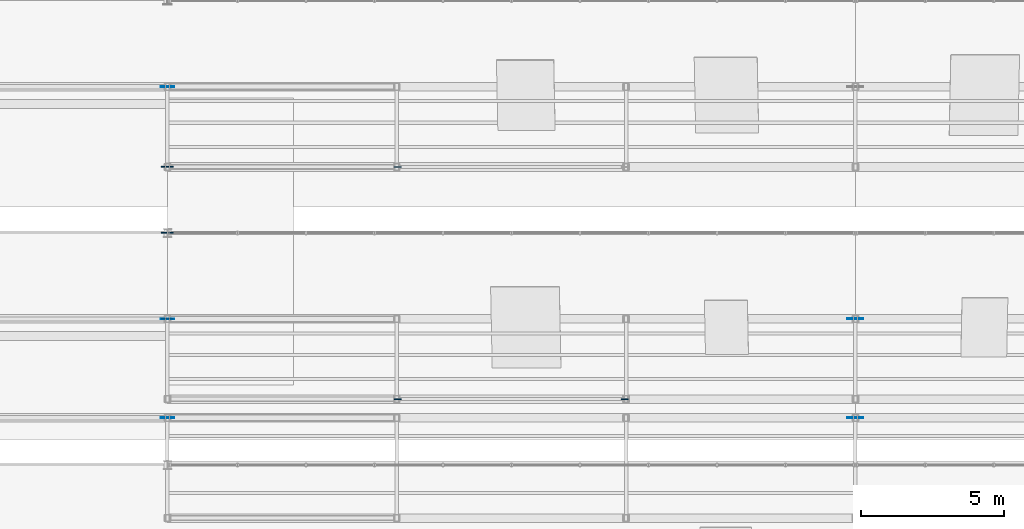
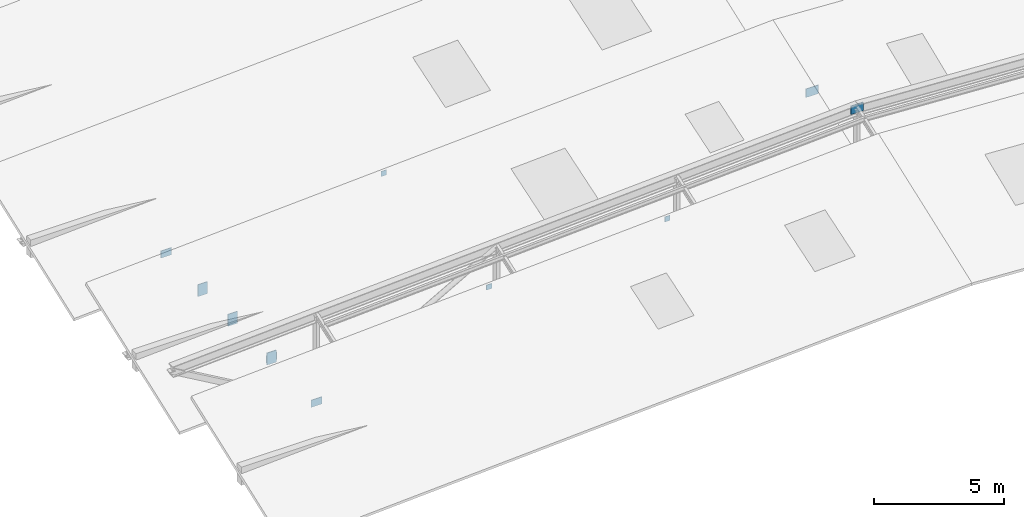
# One storey, part 132 of 141: 11 plates.
"""IFC4 building model written with IfcOpenShell, lengths in metres."""

from ifc_helpers import new_model, si_unit, direction, frame, origin, origin_2d, place, context, subcontext, project, spatial, rectangle, extrude, material, layer, layer_set, type_object, element, save


model = new_model("IFC4")

# Units and contexts
model_context = context("Model", 3, precision=1e-05, world=origin(), true_north=direction((0.0, 1.0)))
body_context = subcontext(model_context, "Body", "Model", "MODEL_VIEW")
ifc_project = project(units=[si_unit("LENGTHUNIT", "METRE"), si_unit("AREAUNIT", "SQUARE_METRE"), si_unit("VOLUMEUNIT", "CUBIC_METRE"), si_unit("PLANEANGLEUNIT", "RADIAN"), si_unit("MASSUNIT", "GRAM", prefix="KILO")], contexts=[model_context])

# Site, building, storey
site_placement = place(None, origin())
site = spatial("IfcSite", under=ifc_project, at=site_placement, CompositionType="ELEMENT")
building_placement = place(site_placement, origin())
building = spatial("IfcBuilding", under=site, at=building_placement, Name="Sundkrona Museum", CompositionType="ELEMENT")
storey_placement = place(building_placement, frame((0.0, 0.0, 34.0)))
storey = spatial("IfcBuildingStorey", under=building, at=storey_placement, Name="RF", CompositionType="ELEMENT", Elevation=34.0)

# Plates
ifc_material = material(Name="Steel S355J2", Category="steel")
ifc_layer_1 = layer(ifc_material, 0.034912109375)
ifc_layer_set_1 = layer_set([ifc_layer_1], Name="Steel S355J2")
plate_type_1 = type_object("IfcPlateType", Name="EP-1", PredefinedType="USERDEFINED", material=ifc_layer_set_1)
for number, where, z_axis, x_axis, name in (
    (1, (120.0, 7.300048828125, -0.530029296875), (0.0, 0.0, 1.0), (1.0, 0.0, 0.0), "Core Wall Cast-In Embed Plate SAW-B2-BC-MAIN-1"),
    (2, (120.0, 12.60009765625, -0.530029296875), (0.0, 0.0, 1.0), (1.0, 0.0, 0.0), "Core Wall Cast-In Embed Plate SAW-B3-VBC-1"),
    (3, (120.0, 10.300048828125, -0.530029296875), (0.0, 0.0, 1.0), (1.0, 0.0, 0.0), "Core Wall Cast-In Embed Plate SAW-CL-PST-02W-1"),
):
    element("IfcPlate", number, at=place(storey_placement, frame(where, z_axis=z_axis, x_axis=x_axis)), inside=storey, type_object=plate_type_1, Name=name, ObjectType="GUSSET PLATE", PredefinedType="USERDEFINED", context=body_context, shape_type="SweptSolid", body=[
        extrude(rectangle(XDim=0.419921875, YDim=0.034912109375, at=origin_2d()), origin(), (0.0, 0.0, 1.0), 0.56005859375),
    ])
ifc_layer_2 = layer(ifc_material, 0.030029296875)
ifc_layer_set_2 = layer_set([ifc_layer_2], Name="Steel S355J2")
plate_type_2 = type_object("IfcPlateType", Name="GP-3", PredefinedType="USERDEFINED", material=ifc_layer_set_2)
for number, where, z_axis, x_axis, name in (
    (4, (144.0, 3.85009765625, 4.937255859375), (0.0, 0.0, 1.0), (1.0, 0.0, 0.0), "Sawtooth Truss 1 Ridge Gusset"),
    (5, (144.0, 7.300048828125, 3.645751953125), (0.0, 0.0, 1.0), (1.0, 0.0, 0.0), "Sawtooth Truss 2 Ridge Gusset"),
):
    element("IfcPlate", number, at=place(storey_placement, frame(where, z_axis=z_axis, x_axis=x_axis)), inside=storey, type_object=plate_type_2, Name=name, ObjectType="GUSSET PLATE", PredefinedType="USERDEFINED", context=body_context, shape_type="SweptSolid", body=[
        extrude(rectangle(XDim=0.56005859375, YDim=0.030029296875, at=origin_2d()), origin(), (0.0, 0.0, 1.0), 0.39990234375),
    ])
ifc_layer_3 = layer(ifc_material, 0.02490234375)
ifc_layer_set_3 = layer_set([ifc_layer_3], Name="Steel S355J2")
plate_type_3 = type_object("IfcPlateType", Name="GP-4", PredefinedType="USERDEFINED", material=ifc_layer_set_3)
for number, where, z_axis, x_axis, name in (
    (6, (120.0, 3.85009765625, -0.419921875), (0.0, 0.0, 1.0), (1.0, 0.0, 0.0), "Sawtooth Truss 1 West Bearing Gusset"),
    (7, (120.0, 7.300048828125, -0.419921875), (0.0, 0.0, 1.0), (1.0, 0.0, 0.0), "Sawtooth Truss 2 West Bearing Gusset"),
    (8, (120.0, 15.39990234375, -0.419921875), (0.0, 0.0, 1.0), (1.0, 0.0, 0.0), "Sawtooth Truss 3 West Bearing Gusset"),
):
    element("IfcPlate", number, at=place(storey_placement, frame(where, z_axis=z_axis, x_axis=x_axis)), inside=storey, type_object=plate_type_3, Name=name, ObjectType="GUSSET PLATE", PredefinedType="USERDEFINED", context=body_context, shape_type="SweptSolid", body=[
        extrude(rectangle(XDim=0.47998046875, YDim=0.02490234375, at=origin_2d()), origin(), (0.0, 0.0, 1.0), 0.340087890625),
    ])
ifc_layer_4 = layer(ifc_material, 0.02490234375)
ifc_layer_set_4 = layer_set([ifc_layer_4], Name="Steel S355J2")
plate_type_4 = type_object("IfcPlateType", Name="GP-6", PredefinedType="USERDEFINED", material=ifc_layer_set_4)
for number, where, z_axis, x_axis, name in (
    (9, (128.0400390625, 4.5, 1.83203125), (0.0, 0.0, 1.0), (1.0, 0.0, 0.0), "Hollow Section Seal Cap Plate PR-SAW-RHS-02-1"),
    (10, (135.9599609375, 4.5, 2.26025390625), (0.0, 0.0, 1.0), (1.0, 0.0, 0.0), "Hollow Section Seal Cap Plate PR-SAW-RHS-02-2"),
    (11, (128.0400390625, 12.60009765625, 2.251953125), (0.0, 0.0, 1.0), (1.0, 0.0, 0.0), "Hollow Section Seal Cap Plate PR-SAW-RHS-03-1"),
):
    element("IfcPlate", number, at=place(storey_placement, frame(where, z_axis=z_axis, x_axis=x_axis)), inside=storey, type_object=plate_type_4, Name=name, ObjectType="GUSSET PLATE", PredefinedType="USERDEFINED", context=body_context, shape_type="SweptSolid", body=[
        extrude(rectangle(XDim=0.239990234375, YDim=0.02490234375, at=origin_2d()), origin(), (0.0, 0.0, 1.0), 0.239990234375),
    ])

save(model, "model.ifc")
